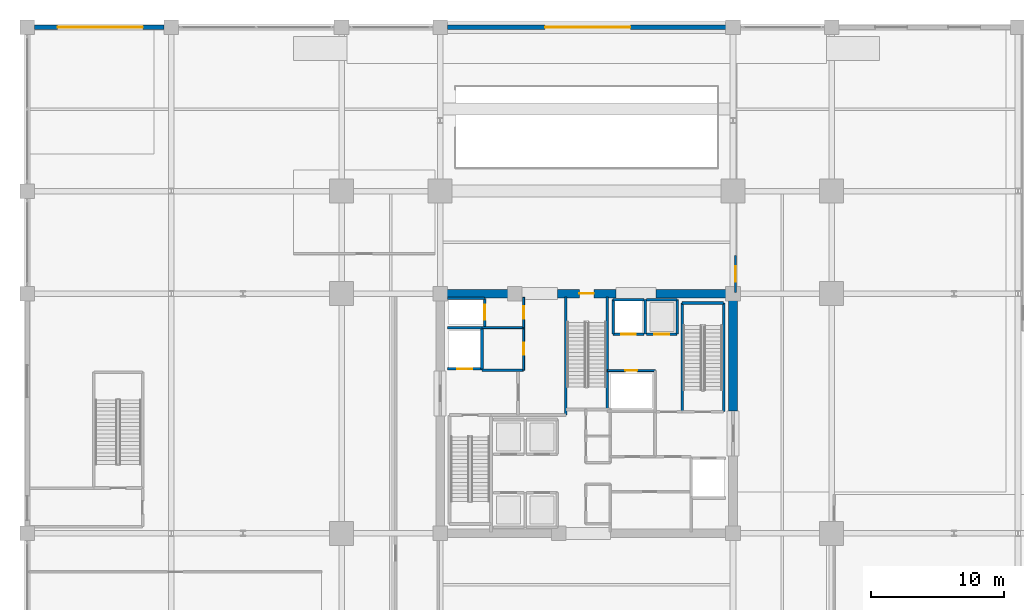
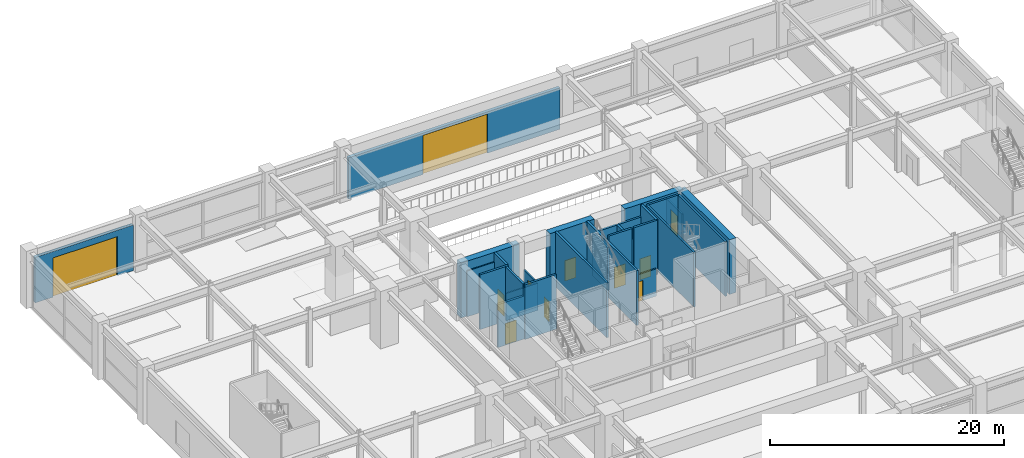
# One storey, part 32 of 41: 29 walls, 11 doors, 11 openings.
"""IFC4 building model written with IfcOpenShell, lengths in metres."""

from ifc_helpers import new_model, si_unit, direction, frame, frame_2d, origin, place, context, subcontext, project, spatial, rectangle, extrude, material, layer, layer_set, type_object, element, fill, save


model = new_model("IFC4")

# Units and contexts
model_context = context("Model", 3, precision=1e-05, world=origin(), true_north=direction((0.0, 1.0)))
body_context = subcontext(model_context, "Body", "Model", "MODEL_VIEW")
ifc_project = project(units=[si_unit("LENGTHUNIT", "METRE"), si_unit("AREAUNIT", "SQUARE_METRE"), si_unit("VOLUMEUNIT", "CUBIC_METRE"), si_unit("PLANEANGLEUNIT", "RADIAN"), si_unit("MASSUNIT", "GRAM", prefix="KILO")], contexts=[model_context])

# Site, building, storey
site_placement = place(None, origin())
site = spatial("IfcSite", under=ifc_project, at=site_placement, CompositionType="ELEMENT")
building_placement = place(site_placement, origin())
building = spatial("IfcBuilding", under=site, at=building_placement, Name="Kovane Verandah Tower", CompositionType="ELEMENT")
storey_placement = place(building_placement, origin())
storey = spatial("IfcBuildingStorey", under=building, at=storey_placement, Name="L00", CompositionType="ELEMENT", Elevation=0.0)

# Wall
ifc_material_1 = material(Name="Fire-Rated Gypsum Stud Partition", Category="gypsum")
ifc_layer_1 = layer(ifc_material_1, 0.14990234375)
ifc_layer_set_1 = layer_set([ifc_layer_1], Name="Fire-Rated Gypsum Stud Partition")
wall_type_1 = type_object("IfcWallType", Name="WL-COR-150", PredefinedType="PARTITIONING", material=ifc_layer_set_1)
wall_1_placement = place(storey_placement, frame((32.14990234375, 33.949951171875, 0.0), z_axis=(0.0, 0.0, 1.0), x_axis=(1.0, 0.0, 0.0)))
element("IfcWall", 1, at=wall_1_placement, inside=storey, type_object=wall_type_1, Name="L00 Goods Lift Lobby South Wall", PredefinedType="PARTITIONING", context=body_context, shape_type="SweptSolid", body=[
    extrude(rectangle(XDim=3.130126953125, YDim=0.14990234375, at=frame_2d((1.56494140625, 0.0))), origin(), (0.0, 0.0, 1.0), 2.85009765625),
])

# Wall, opening, door
wall_2_placement = place(storey_placement, frame((35.280029296875, 33.949951171875, 0.0), z_axis=(0.0, 0.0, 1.0), x_axis=(0.0, 1.0, 0.0)))
wall_2 = element("IfcWall", 2, at=wall_2_placement, inside=storey, type_object=wall_type_1, Name="L00 Goods Lift Lobby East Fire Partition", PredefinedType="PARTITIONING", context=body_context, shape_type="SweptSolid", body=[
    extrude(rectangle(XDim=2.27001953125, YDim=0.14990234375, at=frame_2d((1.135009765625, 0.0))), origin(), (0.0, 0.0, 1.0), 2.85009765625),
])
opening_1_placement = place(wall_2_placement, frame((0.659912109375, 0.0, 0.0)))
opening_1 = element("IfcOpeningElement", 3, at=opening_1_placement, cuts=wall_2, Name="Opening DR-L00-018", PredefinedType="OPENING", context=body_context, shape_type="SweptSolid", body=[
    extrude(rectangle(XDim=0.949951171875, YDim=2.14990234375, at=frame_2d((0.47509765625, 1.074951171875))), frame((0.0, 0.074951171875, 0.0), z_axis=(0.0, -1.0, 0.0), x_axis=(1.0, 0.0, 0.0)), (0.0, 0.0, 1.0), 0.14990234375),
])
ifc_material_2 = material(Name="Fire-Rated Steel Refuge and Lobby Door", Category="steel")
door_type_1 = type_object("IfcDoorType", Name="DR-FIRE-950", OperationType="SINGLE_SWING_LEFT", PredefinedType="DOOR", material=ifc_material_2)
door_1_placement = place(opening_1_placement, origin())
door_1 = element("IfcDoor", 4, at=door_1_placement, inside=storey, type_object=door_type_1, Name="L00 Goods Lift Lobby Fire Door", OperationType="SINGLE_SWING_LEFT", OverallHeight=2.14990234375, OverallWidth=0.949951171875, PredefinedType="DOOR", context=body_context, shape_type="SweptSolid", body=[
    extrude(rectangle(XDim=0.949951171875, YDim=2.14990234375, at=frame_2d((0.47509765625, 1.074951171875))), frame((0.0, 0.02490234375, 0.0), z_axis=(0.0, -1.0, 0.0), x_axis=(1.0, 0.0, 0.0)), (0.0, 0.0, 1.0), 0.050048828125),
])
fill(opening_1, door_1)

wall_3_placement = place(storey_placement, frame((35.280029296875, 30.75, 0.0), z_axis=(0.0, 0.0, 1.0), x_axis=(0.0, 1.0, 0.0)))
wall_3 = element("IfcWall", 5, at=wall_3_placement, inside=storey, type_object=wall_type_1, Name="L00 Accessible Unisex Toilet Partition", PredefinedType="PARTITIONING", context=body_context, shape_type="SweptSolid", body=[
    extrude(rectangle(XDim=3.199951171875, YDim=0.14990234375, at=frame_2d((1.60009765625, 0.0))), origin(), (0.0, 0.0, 1.0), 2.85009765625),
])
opening_2_placement = place(wall_3_placement, frame((1.14990234375, 0.0, 0.0)))
opening_2 = element("IfcOpeningElement", 6, at=opening_2_placement, cuts=wall_3, Name="Opening DR-L00-035", PredefinedType="OPENING", context=body_context, shape_type="SweptSolid", body=[
    extrude(rectangle(XDim=0.89990234375, YDim=2.10009765625, at=frame_2d((0.449951171875, 1.050048828125))), frame((0.0, 0.074951171875, 0.0), z_axis=(0.0, -1.0, 0.0), x_axis=(1.0, 0.0, 0.0)), (0.0, 0.0, 1.0), 0.14990234375),
])
ifc_material_3 = material(Name="Moisture-Resistant Laminate Washroom Door", Category="wood")
door_type_2 = type_object("IfcDoorType", Name="DR-WC-900", OperationType="SINGLE_SWING_LEFT", PredefinedType="DOOR", material=ifc_material_3)
door_2_placement = place(opening_2_placement, origin())
door_2 = element("IfcDoor", 7, at=door_2_placement, inside=storey, type_object=door_type_2, Name="L00 Accessible Unisex Toilet Door", OperationType="SINGLE_SWING_RIGHT", OverallHeight=2.10009765625, OverallWidth=0.89990234375, PredefinedType="DOOR", context=body_context, shape_type="SweptSolid", body=[
    extrude(rectangle(XDim=0.89990234375, YDim=2.10009765625, at=frame_2d((0.449951171875, 1.050048828125))), frame((0.0, 0.02490234375, 0.0), z_axis=(0.0, -1.0, 0.0), x_axis=(1.0, 0.0, 0.0)), (0.0, 0.0, 1.0), 0.050048828125),
])
fill(opening_2, door_2)

wall_4_placement = place(storey_placement, frame((41.56005859375, 30.719970703125, 0.0), z_axis=(0.0, 0.0, 1.0), x_axis=(1.0, 0.0, 0.0)))
wall_4 = element("IfcWall", 8, at=wall_4_placement, inside=storey, type_object=wall_type_1, Name="L00 Combined Chilled Water and Smoke Duct Room Partition", PredefinedType="PARTITIONING", context=body_context, shape_type="SweptSolid", body=[
    extrude(rectangle(XDim=3.58984375, YDim=0.14990234375, at=frame_2d((1.794921875, 0.0))), origin(), (0.0, 0.0, 1.0), 2.85009765625),
])
opening_3_placement = place(wall_4_placement, frame((1.35498046875, 0.0, 0.0)))
opening_3 = element("IfcOpeningElement", 9, at=opening_3_placement, cuts=wall_4, Name="Opening DR-L00-031", PredefinedType="OPENING", context=body_context, shape_type="SweptSolid", body=[
    extrude(rectangle(XDim=0.8798828125, YDim=2.10009765625, at=frame_2d((0.43994140625, 1.050048828125))), frame((0.0, 0.074951171875, 0.0), z_axis=(0.0, -1.0, 0.0), x_axis=(1.0, 0.0, 0.0)), (0.0, 0.0, 1.0), 0.14990234375),
])
ifc_material_4 = material(Name="Fire-Rated Steel Riser Access Door", Category="steel")
door_type_3 = type_object("IfcDoorType", Name="DR-RISER-880", OperationType="SINGLE_SWING_LEFT", PredefinedType="DOOR", material=ifc_material_4)
door_3_placement = place(opening_3_placement, origin())
door_3 = element("IfcDoor", 10, at=door_3_placement, inside=storey, type_object=door_type_3, Name="L00 Combined Chilled Water and Smoke Duct Room Door", OperationType="SINGLE_SWING_LEFT", OverallHeight=2.10009765625, OverallWidth=0.8798828125, PredefinedType="DOOR", context=body_context, shape_type="SweptSolid", body=[
    extrude(rectangle(XDim=0.8798828125, YDim=2.10009765625, at=frame_2d((0.43994140625, 1.050048828125))), frame((0.0, 0.02490234375, 0.0), z_axis=(0.0, -1.0, 0.0), x_axis=(1.0, 0.0, 0.0)), (0.0, 0.0, 1.0), 0.050048828125),
])
fill(opening_3, door_3)

wall_5_placement = place(storey_placement, frame((51.179931640625, 39.35009765625, 0.0), z_axis=(0.0, 0.0, 1.0), x_axis=(0.0, -1.0, 0.0)))
wall_5 = element("IfcWall", 11, at=wall_5_placement, inside=storey, type_object=wall_type_1, Name="L00 North Core Passage East Partition", PredefinedType="PARTITIONING", context=body_context, shape_type="SweptSolid", body=[
    extrude(rectangle(XDim=2.75, YDim=0.14990234375, at=frame_2d((1.375, 0.0))), origin(), (0.0, 0.0, 1.0), 2.85009765625),
])
opening_4_placement = place(wall_5_placement, frame((0.800048828125, 0.0, 0.0)))
opening_4 = element("IfcOpeningElement", 12, at=opening_4_placement, cuts=wall_5, Name="Opening DR-L00-001", PredefinedType="OPENING", context=body_context, shape_type="SweptSolid", body=[
    extrude(rectangle(XDim=1.14990234375, YDim=2.199951171875, at=frame_2d((0.574951171875, 1.10009765625))), frame((0.0, 0.074951171875, 0.0), z_axis=(0.0, -1.0, 0.0), x_axis=(1.0, 0.0, 0.0)), (0.0, 0.0, 1.0), 0.14990234375),
])
ifc_material_5 = material(Name="Smoke-Sealed Firefighting Lobby Door", Category="steel")
door_type_4 = type_object("IfcDoorType", Name="DR-FFL-1150", OperationType="SINGLE_SWING_LEFT", PredefinedType="DOOR", material=ifc_material_5)
door_4_placement = place(opening_4_placement, origin())
door_4 = element("IfcDoor", 13, at=door_4_placement, inside=storey, type_object=door_type_4, Name="L00 North Core Passage Concourse Door", OperationType="SINGLE_SWING_LEFT", OverallHeight=2.199951171875, OverallWidth=1.14990234375, PredefinedType="DOOR", context=body_context, shape_type="SweptSolid", body=[
    extrude(rectangle(XDim=1.14990234375, YDim=2.199951171875, at=frame_2d((0.574951171875, 1.10009765625))), frame((0.0, 0.02490234375, 0.0), z_axis=(0.0, -1.0, 0.0), x_axis=(1.0, 0.0, 0.0)), (0.0, 0.0, 1.0), 0.050048828125),
])
fill(opening_4, door_4)

# Wall
ifc_material_6 = material(Name="Concrete C80/95", Category="concrete")
ifc_layer_2 = layer(ifc_material_6, 0.64990234375)
ifc_layer_set_2 = layer_set([ifc_layer_2], Name="Concrete C80/95")
wall_type_2 = type_object("IfcWallType", Name="WL-CORE-650", PredefinedType="SHEAR", material=ifc_layer_set_2)
wall_6_placement = place(storey_placement, frame((29.0, 36.5, 0.0), z_axis=(0.0, 0.0, 1.0), x_axis=(1.0, 0.0, 0.0)))
element("IfcWall", 14, at=wall_6_placement, inside=storey, type_object=wall_type_2, Name="L00 Core Shear Wall CN-1", PredefinedType="SHEAR", context=body_context, shape_type="SweptSolid", body=[
    extrude(rectangle(XDim=5.800048828125, YDim=0.64990234375, at=frame_2d((2.89990234375, 0.0))), origin(), (0.0, 0.0, 1.0), 5.719970703125),
])

# Wall, opening, door
wall_7_placement = place(storey_placement, frame((37.800048828125, 36.5, 0.0), z_axis=(0.0, 0.0, 1.0), x_axis=(1.0, 0.0, 0.0)))
wall_7 = element("IfcWall", 15, at=wall_7_placement, inside=storey, type_object=wall_type_2, Name="L00 Core Shear Wall CN-2", PredefinedType="SHEAR", context=body_context, shape_type="SweptSolid", body=[
    extrude(rectangle(XDim=4.39990234375, YDim=0.64990234375, at=frame_2d((2.199951171875, 0.0))), origin(), (0.0, 0.0, 1.0), 5.719970703125),
])
opening_5_placement = place(wall_7_placement, frame((1.64990234375, 0.0, 0.0)))
opening_5 = element("IfcOpeningElement", 16, at=opening_5_placement, cuts=wall_7, Name="Opening DR-L00-024", PredefinedType="OPENING", context=body_context, shape_type="SweptSolid", body=[
    extrude(rectangle(XDim=1.10009765625, YDim=2.14990234375, at=frame_2d((0.550048828125, 1.074951171875))), frame((0.0, 0.324951171875, 0.0), z_axis=(0.0, -1.0, 0.0), x_axis=(1.0, 0.0, 0.0)), (0.0, 0.0, 1.0), 0.64990234375),
])
ifc_material_7 = material(Name="Fire-Rated Steel Exit Door", Category="steel")
door_type_5 = type_object("IfcDoorType", Name="DR-STAIR-1100", OperationType="SINGLE_SWING_LEFT", PredefinedType="DOOR", material=ifc_material_7)
door_5_placement = place(opening_5_placement, origin())
door_5 = element("IfcDoor", 17, at=door_5_placement, inside=storey, type_object=door_type_5, Name="L00 ST-03 Fire Exit Stair Door", OperationType="SINGLE_SWING_LEFT", OverallHeight=2.14990234375, OverallWidth=1.10009765625, PredefinedType="DOOR", context=body_context, shape_type="SweptSolid", body=[
    extrude(rectangle(XDim=1.10009765625, YDim=2.14990234375, at=frame_2d((0.550048828125, 1.074951171875))), frame((0.0, 0.02490234375, 0.0), z_axis=(0.0, -1.0, 0.0), x_axis=(1.0, 0.0, 0.0)), (0.0, 0.0, 1.0), 0.050048828125),
])
fill(opening_5, door_5)

# Walls
wall_8_placement = place(storey_placement, frame((45.199951171875, 36.5, 0.0), z_axis=(0.0, 0.0, 1.0), x_axis=(1.0, 0.0, 0.0)))
element("IfcWall", 18, at=wall_8_placement, inside=storey, type_object=wall_type_2, Name="L00 Core Shear Wall CN-3", PredefinedType="SHEAR", context=body_context, shape_type="SweptSolid", body=[
    extrude(rectangle(XDim=5.800048828125, YDim=0.64990234375, at=frame_2d((2.89990234375, 0.0))), origin(), (0.0, 0.0, 1.0), 5.719970703125),
])
wall_9_placement = place(storey_placement, frame((51.0, 27.699951171875, 0.0), z_axis=(0.0, 0.0, 1.0), x_axis=(0.0, 1.0, 0.0)))
element("IfcWall", 19, at=wall_9_placement, inside=storey, type_object=wall_type_2, Name="L00 Core Shear Wall CE-2", PredefinedType="SHEAR", context=body_context, shape_type="SweptSolid", body=[
    extrude(rectangle(XDim=8.800048828125, YDim=0.64990234375, at=frame_2d((4.39990234375, 0.0))), origin(), (0.0, 0.0, 1.0), 5.719970703125),
])
ifc_material_8 = material(Name="Concrete C45/55 Fire Wall", Category="concrete")
ifc_layer_3 = layer(ifc_material_8, 0.199951171875)
ifc_layer_set_3 = layer_set([ifc_layer_3], Name="Concrete C45/55 Fire Wall")
wall_type_3 = type_object("IfcWallType", Name="WL-FFL-200", PredefinedType="PARTITIONING", material=ifc_layer_set_3)
wall_10_placement = place(storey_placement, frame((32.14990234375, 30.75, 0.0), z_axis=(0.0, 0.0, 1.0), x_axis=(1.0, 0.0, 0.0)))
element("IfcWall", 20, at=wall_10_placement, inside=storey, type_object=wall_type_3, Name="L00 West Firefighting Lobby North Fire Wall", PredefinedType="PARTITIONING", context=body_context, shape_type="SweptSolid", body=[
    extrude(rectangle(XDim=3.130126953125, YDim=0.199951171875, at=frame_2d((1.56494140625, 0.0))), origin(), (0.0, 0.0, 1.0), 5.719970703125),
])

# Wall, opening, door
ifc_material_9 = material(Name="Concrete C45/55 Lift Shaft Wall", Category="concrete")
ifc_layer_4 = layer(ifc_material_9, 0.199951171875)
ifc_layer_set_4 = layer_set([ifc_layer_4], Name="Concrete C45/55 Lift Shaft Wall")
wall_type_4 = type_object("IfcWallType", Name="WL-LIFT-200", PredefinedType="SOLIDWALL", material=ifc_layer_set_4)
wall_11_placement = place(storey_placement, frame((29.550048828125, 30.85009765625, 0.0), z_axis=(0.0, 0.0, 1.0), x_axis=(1.0, 0.0, 0.0)))
wall_11 = element("IfcWall", 21, at=wall_11_placement, inside=storey, type_object=wall_type_4, Name="L00 Lift FL-01 S Shaft Wall", PredefinedType="SOLIDWALL", context=body_context, shape_type="SweptSolid", body=[
    extrude(rectangle(XDim=2.599853515625, YDim=0.199951171875, at=frame_2d((1.2998046875, 0.0))), origin(), (0.0, 0.0, 1.0), 4.5),
])
opening_6_placement = place(wall_11_placement, frame((0.75, 0.0, 0.0)))
opening_6 = element("IfcOpeningElement", 22, at=opening_6_placement, cuts=wall_11, Name="Opening LD-L00-001", PredefinedType="OPENING", context=body_context, shape_type="SweptSolid", body=[
    extrude(rectangle(XDim=1.10009765625, YDim=2.199951171875, at=frame_2d((0.550048828125, 1.10009765625))), frame((0.0, 0.10009765625, 0.0), z_axis=(0.0, -1.0, 0.0), x_axis=(1.0, 0.0, 0.0)), (0.0, 0.0, 1.0), 0.199951171875),
])
ifc_material_10 = material(Name="Brushed Stainless Steel Sliding Lift Landing Door", Category="steel")
door_type_6 = type_object("IfcDoorType", Name="DR-LIFT-1100", OperationType="SLIDING_TO_RIGHT", PredefinedType="DOOR", material=ifc_material_10)
door_6_placement = place(opening_6_placement, origin())
door_6 = element("IfcDoor", 23, at=door_6_placement, inside=storey, type_object=door_type_6, Name="L00 Lift FL-01 Sliding Landing Door", OperationType="SLIDING_TO_RIGHT", OverallHeight=2.199951171875, OverallWidth=1.10009765625, PredefinedType="DOOR", context=body_context, shape_type="SweptSolid", body=[
    extrude(rectangle(XDim=1.10009765625, YDim=2.199951171875, at=frame_2d((0.550048828125, 1.10009765625))), frame((0.0, 0.02490234375, 0.0), z_axis=(0.0, -1.0, 0.0), x_axis=(1.0, 0.0, 0.0)), (0.0, 0.0, 1.0), 0.050048828125),
])
fill(opening_6, door_6)

# Walls
wall_12_placement = place(storey_placement, frame((29.550048828125, 33.949951171875, 0.0), z_axis=(0.0, 0.0, 1.0), x_axis=(1.0, 0.0, 0.0)))
element("IfcWall", 24, at=wall_12_placement, inside=storey, type_object=wall_type_4, Name="L00 Lift FL-01 and GL-01 Shared Shaft Wall", PredefinedType="SOLIDWALL", context=body_context, shape_type="SweptSolid", body=[
    extrude(rectangle(XDim=2.800048828125, YDim=0.199951171875, at=frame_2d((1.39990234375, 0.0))), origin(), (0.0, 0.0, 1.0), 5.719970703125),
])
wall_13_placement = place(storey_placement, frame((32.14990234375, 30.85009765625, 0.0), z_axis=(0.0, 0.0, 1.0), x_axis=(0.0, 1.0, 0.0)))
element("IfcWall", 25, at=wall_13_placement, inside=storey, type_object=wall_type_4, Name="L00 Lift FL-01 E Shaft Wall", PredefinedType="SOLIDWALL", context=body_context, shape_type="SweptSolid", body=[
    extrude(rectangle(XDim=3.0, YDim=0.199951171875, at=frame_2d((1.5, 0.0))), origin(), (0.0, 0.0, 1.0), 5.719970703125),
])
wall_14_placement = place(storey_placement, frame((32.35009765625, 36.14990234375, 0.0), z_axis=(0.0, 0.0, 1.0), x_axis=(-1.0, 0.0, 0.0)))
element("IfcWall", 26, at=wall_14_placement, inside=storey, type_object=wall_type_4, Name="L00 Lift GL-01 N Shaft Wall", PredefinedType="SOLIDWALL", context=body_context, shape_type="SweptSolid", body=[
    extrude(rectangle(XDim=2.800048828125, YDim=0.199951171875, at=frame_2d((1.39990234375, 0.0))), origin(), (0.0, 0.0, 1.0), 4.779052734375),
])

# Wall, opening, door
wall_15_placement = place(storey_placement, frame((32.35009765625, 34.050048828125, 0.0), z_axis=(0.0, 0.0, 1.0), x_axis=(0.0, 1.0, 0.0)))
wall_15 = element("IfcWall", 27, at=wall_15_placement, inside=storey, type_object=wall_type_4, Name="L00 Lift GL-01 E Shaft Wall", PredefinedType="SOLIDWALL", context=body_context, shape_type="SweptSolid", body=[
    extrude(rectangle(XDim=2.099853515625, YDim=0.199951171875, at=frame_2d((1.0498046875, 0.0))), origin(), (0.0, 0.0, 1.0), 5.719970703125),
])
opening_7_placement = place(wall_15_placement, frame((0.5, 0.0, 0.0)))
opening_7 = element("IfcOpeningElement", 28, at=opening_7_placement, cuts=wall_15, Name="Opening LD-L00-003", PredefinedType="OPENING", context=body_context, shape_type="SweptSolid", body=[
    extrude(rectangle(XDim=1.10009765625, YDim=2.199951171875, at=frame_2d((0.550048828125, 1.10009765625))), frame((0.0, 0.10009765625, 0.0), z_axis=(0.0, -1.0, 0.0), x_axis=(1.0, 0.0, 0.0)), (0.0, 0.0, 1.0), 0.199951171875),
])
door_7_placement = place(opening_7_placement, origin())
door_7 = element("IfcDoor", 29, at=door_7_placement, inside=storey, type_object=door_type_6, Name="L00 Lift GL-01 Sliding Landing Door", OperationType="SLIDING_TO_RIGHT", OverallHeight=2.199951171875, OverallWidth=1.10009765625, PredefinedType="DOOR", context=body_context, shape_type="SweptSolid", body=[
    extrude(rectangle(XDim=1.10009765625, YDim=2.199951171875, at=frame_2d((0.550048828125, 1.10009765625))), frame((0.0, 0.02490234375, 0.0), z_axis=(0.0, -1.0, 0.0), x_axis=(1.0, 0.0, 0.0)), (0.0, 0.0, 1.0), 0.050048828125),
])
fill(opening_7, door_7)

wall_16_placement = place(storey_placement, frame((42.0, 33.449951171875, 0.0), z_axis=(0.0, 0.0, 1.0), x_axis=(1.0, 0.0, 0.0)))
wall_16 = element("IfcWall", 30, at=wall_16_placement, inside=storey, type_object=wall_type_4, Name="L00 Lift SL-01 S Shaft Wall", PredefinedType="SOLIDWALL", context=body_context, shape_type="SweptSolid", body=[
    extrude(rectangle(XDim=2.300048828125, YDim=0.199951171875, at=frame_2d((1.14990234375, 0.0))), origin(), (0.0, 0.0, 1.0), 5.719970703125),
])
opening_8_placement = place(wall_16_placement, frame((0.60009765625, 0.0, 0.0)))
opening_8 = element("IfcOpeningElement", 31, at=opening_8_placement, cuts=wall_16, Name="Opening LD-L00-009", PredefinedType="OPENING", context=body_context, shape_type="SweptSolid", body=[
    extrude(rectangle(XDim=1.10009765625, YDim=2.199951171875, at=frame_2d((0.550048828125, 1.10009765625))), frame((0.0, 0.10009765625, 0.0), z_axis=(0.0, -1.0, 0.0), x_axis=(1.0, 0.0, 0.0)), (0.0, 0.0, 1.0), 0.199951171875),
])
door_8_placement = place(opening_8_placement, origin())
door_8 = element("IfcDoor", 32, at=door_8_placement, inside=storey, type_object=door_type_6, Name="L00 Lift SL-01 Sliding Landing Door", OperationType="SLIDING_TO_RIGHT", OverallHeight=2.199951171875, OverallWidth=1.10009765625, PredefinedType="DOOR", context=body_context, shape_type="SweptSolid", body=[
    extrude(rectangle(XDim=1.10009765625, YDim=2.199951171875, at=frame_2d((0.550048828125, 1.10009765625))), frame((0.0, 0.02490234375, 0.0), z_axis=(0.0, -1.0, 0.0), x_axis=(1.0, 0.0, 0.0)), (0.0, 0.0, 1.0), 0.050048828125),
])
fill(opening_8, door_8)

# Walls
wall_17_placement = place(storey_placement, frame((44.300048828125, 36.050048828125, 0.0), z_axis=(0.0, 0.0, 1.0), x_axis=(-1.0, 0.0, 0.0)))
element("IfcWall", 33, at=wall_17_placement, inside=storey, type_object=wall_type_4, Name="L00 Lift SL-01 N Shaft Wall", PredefinedType="SOLIDWALL", context=body_context, shape_type="SweptSolid", body=[
    extrude(rectangle(XDim=2.300048828125, YDim=0.199951171875, at=frame_2d((1.14990234375, 0.0))), origin(), (0.0, 0.0, 1.0), 4.5),
])
for number, where, z_axis, x_axis, name in (
    (34, (42.0, 36.050048828125, 0.0), (0.0, 0.0, 1.0), (0.0, -1.0, 0.0), "L00 Lift SL-01 W Shaft Wall"),
    (35, (44.39990234375, 33.449951171875, 0.0), (0.0, 0.0, 1.0), (0.0, 1.0, 0.0), "L00 Lift OL-01 and SL-01 Shared Shaft Wall"),
):
    element("IfcWall", number, at=place(storey_placement, frame(where, z_axis=z_axis, x_axis=x_axis)), inside=storey, type_object=wall_type_4, Name=name, PredefinedType="SOLIDWALL", context=body_context, shape_type="SweptSolid", body=[
        extrude(rectangle(XDim=2.60009765625, YDim=0.199951171875, at=frame_2d((1.300048828125, 0.0))), origin(), (0.0, 0.0, 1.0), 4.5),
    ])

# Wall, opening, door
wall_18_placement = place(storey_placement, frame((44.5, 33.449951171875, 0.0), z_axis=(0.0, 0.0, 1.0), x_axis=(1.0, 0.0, 0.0)))
wall_18 = element("IfcWall", 36, at=wall_18_placement, inside=storey, type_object=wall_type_4, Name="L00 Lift OL-01 S Shaft Wall", PredefinedType="SOLIDWALL", context=body_context, shape_type="SweptSolid", body=[
    extrude(rectangle(XDim=2.300048828125, YDim=0.199951171875, at=frame_2d((1.14990234375, 0.0))), origin(), (0.0, 0.0, 1.0), 5.719970703125),
])
opening_9_placement = place(wall_18_placement, frame((0.60009765625, 0.0, 0.0)))
opening_9 = element("IfcOpeningElement", 37, at=opening_9_placement, cuts=wall_18, Name="Opening LD-L00-004", PredefinedType="OPENING", context=body_context, shape_type="SweptSolid", body=[
    extrude(rectangle(XDim=1.10009765625, YDim=2.199951171875, at=frame_2d((0.550048828125, 1.10009765625))), frame((0.0, 0.10009765625, 0.0), z_axis=(0.0, -1.0, 0.0), x_axis=(1.0, 0.0, 0.0)), (0.0, 0.0, 1.0), 0.199951171875),
])
door_9_placement = place(opening_9_placement, origin())
door_9 = element("IfcDoor", 38, at=door_9_placement, inside=storey, type_object=door_type_6, Name="L00 Lift OL-01 Sliding Landing Door", OperationType="SLIDING_TO_RIGHT", OverallHeight=2.199951171875, OverallWidth=1.10009765625, PredefinedType="DOOR", context=body_context, shape_type="SweptSolid", body=[
    extrude(rectangle(XDim=1.10009765625, YDim=2.199951171875, at=frame_2d((0.550048828125, 1.10009765625))), frame((0.0, 0.02490234375, 0.0), z_axis=(0.0, -1.0, 0.0), x_axis=(1.0, 0.0, 0.0)), (0.0, 0.0, 1.0), 0.050048828125),
])
fill(opening_9, door_9)

# Walls
wall_19_placement = place(storey_placement, frame((46.800048828125, 36.050048828125, 0.0), z_axis=(0.0, 0.0, 1.0), x_axis=(-1.0, 0.0, 0.0)))
element("IfcWall", 39, at=wall_19_placement, inside=storey, type_object=wall_type_4, Name="L00 Lift OL-01 N Shaft Wall", PredefinedType="SOLIDWALL", context=body_context, shape_type="SweptSolid", body=[
    extrude(rectangle(XDim=2.300048828125, YDim=0.199951171875, at=frame_2d((1.14990234375, 0.0))), origin(), (0.0, 0.0, 1.0), 4.5),
])
wall_20_placement = place(storey_placement, frame((46.800048828125, 33.449951171875, 0.0), z_axis=(0.0, 0.0, 1.0), x_axis=(0.0, 1.0, 0.0)))
element("IfcWall", 40, at=wall_20_placement, inside=storey, type_object=wall_type_4, Name="L00 Lift OL-01 E Shaft Wall", PredefinedType="SOLIDWALL", context=body_context, shape_type="SweptSolid", body=[
    extrude(rectangle(XDim=2.60009765625, YDim=0.199951171875, at=frame_2d((1.300048828125, 0.0))), origin(), (0.0, 0.0, 1.0), 5.719970703125),
])

# Wall, opening, door
ifc_material_11 = material(Name="Concrete C45/55 Podium Facade Wall", Category="concrete")
ifc_layer_5 = layer(ifc_material_11, 0.320068359375)
ifc_layer_set_5 = layer_set([ifc_layer_5], Name="Concrete C45/55 Podium Facade Wall")
wall_type_5 = type_object("IfcWallType", Name="WL-POD-320", PredefinedType="SOLIDWALL", material=ifc_layer_set_5)
wall_21_placement = place(storey_placement, frame((8.260009765625, 56.5, 0.0), z_axis=(0.0, 0.0, 1.0), x_axis=(-1.0, 0.0, 0.0)))
wall_21 = element("IfcWall", 41, at=wall_21_placement, inside=storey, type_object=wall_type_5, Name="North Goods Loading Bay Portal Wall", PredefinedType="SOLIDWALL", context=body_context, shape_type="SweptSolid", body=[
    extrude(rectangle(XDim=9.719970703125, YDim=0.320068359375, at=frame_2d((4.85986328125, 0.0))), origin(), (0.0, 0.0, 1.0), 4.759033203125),
])
opening_10_placement = place(wall_21_placement, frame((1.580078125, 0.0, 0.0)))
opening_10 = element("IfcOpeningElement", 42, at=opening_10_placement, cuts=wall_21, Name="Opening VG-L00-002", PredefinedType="OPENING", context=body_context, shape_type="SweptSolid", body=[
    extrude(rectangle(XDim=6.39990234375, YDim=4.10009765625, at=frame_2d((3.199951171875, 2.050048828125))), frame((0.0, 0.16015625, 0.0), z_axis=(0.0, -1.0, 0.0), x_axis=(1.0, 0.0, 0.0)), (0.0, 0.0, 1.0), 0.320068359375),
])
ifc_material_12 = material(Name="Perforated Champagne-Aluminium Insulated Roller Shutter Gate", Category="aluminium")
door_type_7 = type_object("IfcDoorType", Name="DR-GATE-6400x4100", OperationType="ROLLINGUP", PredefinedType="GATE", material=ifc_material_12)
door_10_placement = place(opening_10_placement, origin())
door_10 = element("IfcDoor", 43, at=door_10_placement, inside=storey, type_object=door_type_7, Name="Goods Loading Bay Roller Shutter VG-02", OperationType="ROLLINGUP", OverallHeight=4.10009765625, OverallWidth=6.39990234375, PredefinedType="GATE", context=body_context, shape_type="SweptSolid", body=[
    extrude(rectangle(XDim=6.39990234375, YDim=4.10009765625, at=frame_2d((3.199951171875, 2.050048828125))), frame((0.0, 0.02490234375, 0.0), z_axis=(0.0, -1.0, 0.0), x_axis=(1.0, 0.0, 0.0)), (0.0, 0.0, 1.0), 0.050048828125),
])
fill(opening_10, door_10)

wall_22_placement = place(storey_placement, frame((50.4599609375, 56.5, 0.0), z_axis=(0.0, 0.0, 1.0), x_axis=(-1.0, 0.0, 0.0)))
wall_22 = element("IfcWall", 44, at=wall_22_placement, inside=storey, type_object=wall_type_5, Name="North Vehicle Ramp Portal Wall", PredefinedType="SOLIDWALL", context=body_context, shape_type="SweptSolid", body=[
    extrude(rectangle(XDim=20.919921875, YDim=0.320068359375, at=frame_2d((10.4599609375, 0.0))), origin(), (0.0, 0.0, 1.0), 4.330078125),
])
opening_11_placement = place(wall_22_placement, frame((7.179931640625, 0.0, 0.0)))
opening_11 = element("IfcOpeningElement", 45, at=opening_11_placement, cuts=wall_22, Name="Opening VG-L00-001", PredefinedType="OPENING", context=body_context, shape_type="SweptSolid", body=[
    extrude(rectangle(XDim=6.39990234375, YDim=4.10009765625, at=frame_2d((3.199951171875, 2.050048828125))), frame((0.0, 0.16015625, 0.0), z_axis=(0.0, -1.0, 0.0), x_axis=(1.0, 0.0, 0.0)), (0.0, 0.0, 1.0), 0.320068359375),
])
door_11_placement = place(opening_11_placement, origin())
door_11 = element("IfcDoor", 46, at=door_11_placement, inside=storey, type_object=door_type_7, Name="Basement Car-Park Roller Shutter Gate VG-01", OperationType="ROLLINGUP", OverallHeight=4.10009765625, OverallWidth=6.39990234375, PredefinedType="GATE", context=body_context, shape_type="SweptSolid", body=[
    extrude(rectangle(XDim=6.39990234375, YDim=4.10009765625, at=frame_2d((3.199951171875, 2.050048828125))), frame((0.0, 0.02490234375, 0.0), z_axis=(0.0, -1.0, 0.0), x_axis=(1.0, 0.0, 0.0)), (0.0, 0.0, 1.0), 0.050048828125),
])
fill(opening_11, door_11)

# Walls
ifc_material_13 = material(Name="Concrete C45/55", Category="concrete")
ifc_layer_6 = layer(ifc_material_13, 0.199951171875)
ifc_layer_set_6 = layer_set([ifc_layer_6], Name="Concrete C45/55")
wall_type_6 = type_object("IfcWallType", Name="WL-SHAFT-200", PredefinedType="SOLIDWALL", material=ifc_layer_set_6)
wall_23_placement = place(storey_placement, frame((50.300048828125, 27.64990234375, 0.0), z_axis=(0.0, 0.0, 1.0), x_axis=(0.0, 1.0, 0.0)))
element("IfcWall", 47, at=wall_23_placement, inside=storey, type_object=wall_type_6, Name="W-L00-ST02-E", PredefinedType="SOLIDWALL", context=body_context, shape_type="SweptSolid", body=[
    extrude(rectangle(XDim=8.150146484375, YDim=0.199951171875, at=frame_2d((4.0751953125, 0.0))), origin(), (0.0, 0.0, 1.0), 5.719970703125),
])
wall_24_placement = place(storey_placement, frame((47.179931640625, 35.800048828125, 0.0), z_axis=(0.0, 0.0, 1.0), x_axis=(1.0, 0.0, 0.0)))
element("IfcWall", 48, at=wall_24_placement, inside=storey, type_object=wall_type_6, Name="W-L00-ST02-N", PredefinedType="SOLIDWALL", context=body_context, shape_type="SweptSolid", body=[
    extrude(rectangle(XDim=3.1201171875, YDim=0.199951171875, at=frame_2d((1.56005859375, 0.0))), origin(), (0.0, 0.0, 1.0), 5.719970703125),
])
wall_25_placement = place(storey_placement, frame((47.179931640625, 27.6201171875, 0.0), z_axis=(0.0, 0.0, 1.0), x_axis=(0.0, 1.0, 0.0)))
element("IfcWall", 49, at=wall_25_placement, inside=storey, type_object=wall_type_6, Name="W-L00-ST02-W", PredefinedType="SOLIDWALL", context=body_context, shape_type="SweptSolid", body=[
    extrude(rectangle(XDim=8.179931640625, YDim=0.199951171875, at=frame_2d((4.08984375, 0.0))), origin(), (0.0, 0.0, 1.0), 5.719970703125),
])
wall_26_placement = place(storey_placement, frame((38.43994140625, 27.3798828125, 0.0), z_axis=(0.0, 0.0, 1.0), x_axis=(0.0, 1.0, 0.0)))
element("IfcWall", 50, at=wall_26_placement, inside=storey, type_object=wall_type_6, Name="W-L00-ST03-W", PredefinedType="SOLIDWALL", context=body_context, shape_type="SweptSolid", body=[
    extrude(rectangle(XDim=8.8701171875, YDim=0.199951171875, at=frame_2d((4.43505859375, 0.0))), origin(), (0.0, 0.0, 1.0), 5.719970703125),
])
wall_27_placement = place(storey_placement, frame((41.56005859375, 27.679931640625, 0.0), z_axis=(0.0, 0.0, 1.0), x_axis=(0.0, 1.0, 0.0)))
element("IfcWall", 51, at=wall_27_placement, inside=storey, type_object=wall_type_6, Name="W-L00-ST03-E", PredefinedType="SOLIDWALL", context=body_context, shape_type="SweptSolid", body=[
    extrude(rectangle(XDim=8.570068359375, YDim=0.199951171875, at=frame_2d((4.28515625, 0.0))), origin(), (0.0, 0.0, 1.0), 5.719970703125),
])

save(model, "model.ifc")
